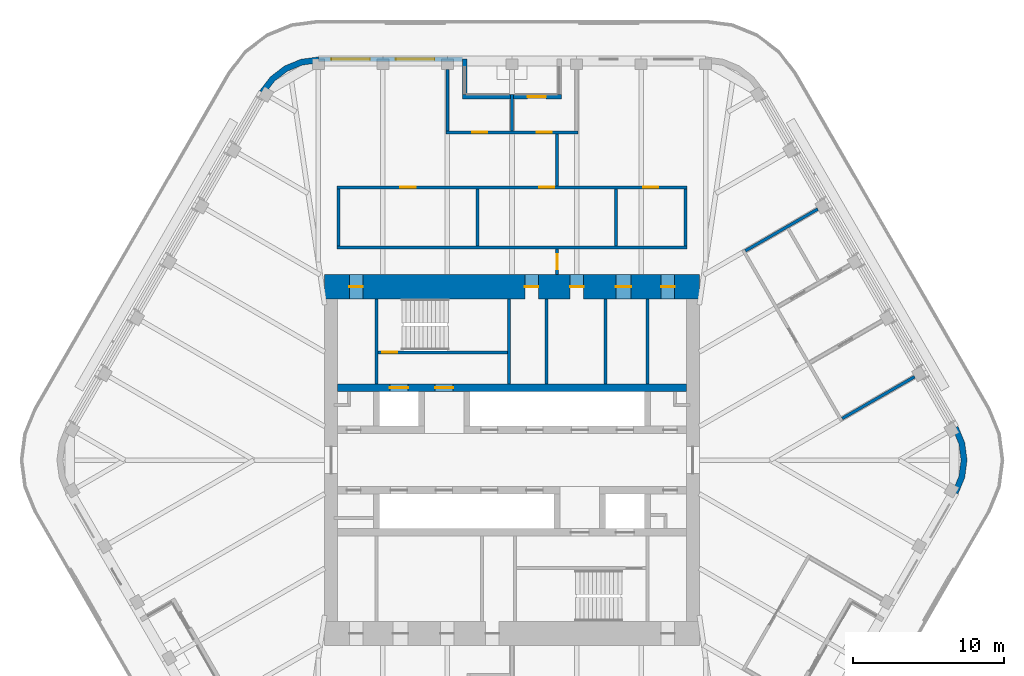
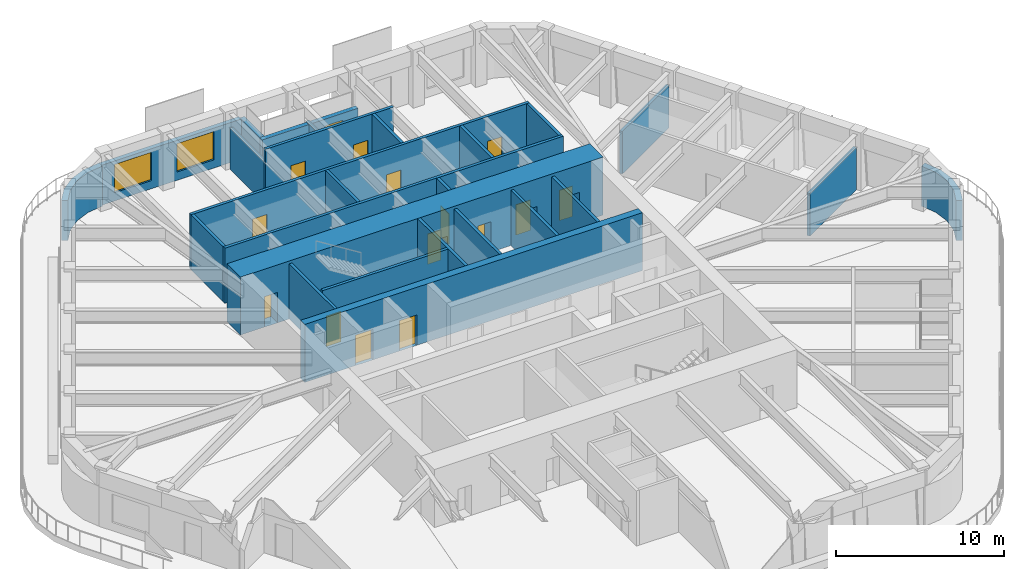
# One storey, part 15 of 19: 26 walls, 15 doors, 2 windows, 17 openings.
"""IFC4 building model written with IfcOpenShell, lengths in metres."""

from ifc_helpers import new_model, si_unit, direction, frame, frame_2d, origin, place, context, subcontext, project, spatial, polyline, rectangle, outline, extrude, material, layer, layer_set, type_object, element, fill, save


model = new_model("IFC4")

# Units and contexts
model_context = context("Model", 3, precision=1e-05, world=origin(), true_north=direction((0.0, 1.0)))
body_context = subcontext(model_context, "Body", "Model", "MODEL_VIEW")
ifc_project = project(units=[si_unit("LENGTHUNIT", "METRE"), si_unit("AREAUNIT", "SQUARE_METRE"), si_unit("VOLUMEUNIT", "CUBIC_METRE"), si_unit("PLANEANGLEUNIT", "RADIAN"), si_unit("MASSUNIT", "GRAM", prefix="KILO")], contexts=[model_context])

# Site, building, storey
site_placement = place(None, origin())
site = spatial("IfcSite", under=ifc_project, at=site_placement, CompositionType="ELEMENT")
building_placement = place(site_placement, origin())
building = spatial("IfcBuilding", under=site, at=building_placement, Name="Tarfa Lantern Tower", CompositionType="ELEMENT")
storey_placement = place(building_placement, frame((0.0, 0.0, 374.5)))
storey = spatial("IfcBuildingStorey", under=building, at=storey_placement, Name="L85", CompositionType="ELEMENT", Elevation=374.5)

# Wall, openings, windows
ifc_material_1 = material(Name="Limestone cladding on blockwork", Category="masonry")
ifc_layer_1 = layer(ifc_material_1, 0.300048828125)
ifc_layer_set_1 = layer_set([ifc_layer_1], Name="EW1 STONE-CLAD WALL 300")
wall_type_1 = type_object("IfcWallType", Name="EW1 STONE-CLAD WALL 300", PredefinedType="SOLIDWALL", material=ifc_layer_set_1)
wall_1_placement = place(storey_placement, frame((-3.281982421875, 26.60009765625, 0.0), z_axis=(0.0, 0.0, 1.0), x_axis=(-1.0, 0.0, 0.0)))
wall_1 = element("IfcWall", 1, at=wall_1_placement, inside=storey, type_object=wall_type_1, Name="Stone wall NB", PredefinedType="SOLIDWALL", context=body_context, shape_type="SweptSolid", body=[
    extrude(rectangle(XDim=9.56396484375, YDim=0.300048828125, at=frame_2d((4.781982421875, 0.0))), origin(), (0.0, 0.0, 1.0), 2.89990234375),
])
opening_1_placement = place(wall_1_placement, frame((1.865966796875, 0.0, 0.60009765625)))
opening_1 = element("IfcOpeningElement", 2, at=opening_1_placement, cuts=wall_1, Name="Opening W17", PredefinedType="OPENING", context=body_context, shape_type="SweptSolid", body=[
    extrude(rectangle(XDim=2.550048828125, YDim=2.050048828125, at=frame_2d((1.27490234375, 1.02490234375))), frame((0.0, 0.159912109375, 0.0), z_axis=(0.0, -1.0, 0.0), x_axis=(1.0, 0.0, 0.0)), (0.0, 0.0, 1.0), 0.320068359375),
])
opening_2_placement = place(wall_1_placement, frame((6.14794921875, 0.0, 0.60009765625)))
opening_2 = element("IfcOpeningElement", 3, at=opening_2_placement, cuts=wall_1, Name="Opening W17", PredefinedType="OPENING", context=body_context, shape_type="SweptSolid", body=[
    extrude(rectangle(XDim=2.550048828125, YDim=2.050048828125, at=frame_2d((1.27490234375, 1.02490234375))), frame((0.0, 0.159912109375, 0.0), z_axis=(0.0, -1.0, 0.0), x_axis=(1.0, 0.0, 0.0)), (0.0, 0.0, 1.0), 0.320068359375),
])
ifc_material_2 = material(Name="Aluminium frame, double glazed", Category="aluminium")
window_type = type_object("IfcWindowType", Name="W17 FULL-HEIGHT GLAZING 2550x2050", PartitioningType="SINGLE_PANEL", PredefinedType="WINDOW", material=ifc_material_2)
window_1_placement = place(opening_1_placement, origin())
window_1 = element("IfcWindow", 4, at=window_1_placement, inside=storey, type_object=window_type, Name="Window NB 1", OverallHeight=2.050048828125, OverallWidth=2.550048828125, PartitioningType="SINGLE_PANEL", PredefinedType="WINDOW", context=body_context, shape_type="SweptSolid", body=[
    extrude(rectangle(XDim=2.550048828125, YDim=2.050048828125, at=frame_2d((1.27490234375, 1.02490234375))), frame((0.0, 0.030029296875, 0.0), z_axis=(0.0, -1.0, 0.0), x_axis=(1.0, 0.0, 0.0)), (0.0, 0.0, 1.0), 0.06005859375),
])
fill(opening_1, window_1)
window_2_placement = place(opening_2_placement, origin())
window_2 = element("IfcWindow", 5, at=window_2_placement, inside=storey, type_object=window_type, Name="Window NB 2", OverallHeight=2.050048828125, OverallWidth=2.550048828125, PartitioningType="SINGLE_PANEL", PredefinedType="WINDOW", context=body_context, shape_type="SweptSolid", body=[
    extrude(rectangle(XDim=2.550048828125, YDim=2.050048828125, at=frame_2d((1.27490234375, 1.02490234375))), frame((0.0, 0.030029296875, 0.0), z_axis=(0.0, -1.0, 0.0), x_axis=(1.0, 0.0, 0.0)), (0.0, 0.0, 1.0), 0.06005859375),
])
fill(opening_2, window_2)

# Wall
wall_2_placement = place(storey_placement, frame((-3.132080078125, 26.60009765625, 0.0), z_axis=(0.0, 0.0, 1.0), x_axis=(0.0, -1.0, 0.0)))
element("IfcWall", 6, at=wall_2_placement, inside=storey, type_object=wall_type_1, Name="Terrace return N 2", PredefinedType="SOLIDWALL", context=body_context, shape_type="SweptSolid", body=[
    extrude(rectangle(XDim=2.35009765625, YDim=0.300048828125, at=frame_2d((1.175048828125, 0.0))), origin(), (0.0, 0.0, 1.0), 2.89990234375),
])

# Wall, opening, door
wall_3_placement = place(storey_placement, frame((3.281982421875, 24.10009765625, 0.0), z_axis=(0.0, 0.0, 1.0), x_axis=(-1.0, 0.0, 0.0)))
wall_3 = element("IfcWall", 7, at=wall_3_placement, inside=storey, type_object=wall_type_1, Name="Stone wall NS", PredefinedType="SOLIDWALL", context=body_context, shape_type="SweptSolid", body=[
    extrude(rectangle(XDim=6.56396484375, YDim=0.300048828125, at=frame_2d((3.281982421875, 0.0))), origin(), (0.0, 0.0, 1.0), 2.89990234375),
])
opening_3_placement = place(wall_3_placement, frame((1.041015625, 0.0, 0.0)))
opening_3 = element("IfcOpeningElement", 8, at=opening_3_placement, cuts=wall_3, Name="Opening D35", PredefinedType="OPENING", context=body_context, shape_type="SweptSolid", body=[
    extrude(rectangle(XDim=1.199951171875, YDim=2.39990234375, at=frame_2d((0.60009765625, 1.199951171875))), frame((0.0, 0.159912109375, 0.0), z_axis=(0.0, -1.0, 0.0), x_axis=(1.0, 0.0, 0.0)), (0.0, 0.0, 1.0), 0.320068359375),
])
ifc_material_3 = material(Name="Aluminium framed glazed door", Category="aluminium")
door_type_1 = type_object("IfcDoorType", Name="BE3 BALCONY DOOR 1200x2400", OperationType="SINGLE_SWING_RIGHT", PredefinedType="DOOR", material=ifc_material_3)
door_1_placement = place(opening_3_placement, origin())
door_1 = element("IfcDoor", 9, at=door_1_placement, inside=storey, type_object=door_type_1, Name="Balcony door NS", OperationType="SINGLE_SWING_LEFT", OverallHeight=2.39990234375, OverallWidth=1.199951171875, PredefinedType="DOOR", context=body_context, shape_type="SweptSolid", body=[
    extrude(rectangle(XDim=1.199951171875, YDim=2.39990234375, at=frame_2d((0.60009765625, 1.199951171875))), frame((0.0, 0.02490234375, 0.0), z_axis=(0.0, -1.0, 0.0), x_axis=(1.0, 0.0, 0.0)), (0.0, 0.0, 1.0), 0.050048828125),
])
fill(opening_3, door_1)

# Walls
ifc_layer_2 = layer(ifc_material_1, 0.39990234375)
ifc_layer_set_2 = layer_set([ifc_layer_2], Name="EW2 CURVED STONE CORNER 400")
wall_type_2 = type_object("IfcWallType", Name="EW2 CURVED STONE CORNER 400", PredefinedType="SOLIDWALL", material=ifc_layer_set_2)
wall_4_placement = place(storey_placement, origin())
element("IfcWall", 10, at=wall_4_placement, inside=storey, type_object=wall_type_2, Name="Stone corner N-NW", PredefinedType="SOLIDWALL", context=body_context, shape_type="SweptSolid", body=[
    extrude(outline(polyline([(-12.845947265625, 26.75), (-14.0107421875, 26.5966796875), (-15.095947265625, 26.147216796875), (-16.028076171875, 25.431884765625), (-16.7431640625, 24.5), (-16.396728515625, 24.300048828125), (-15.7451171875, 25.149169921875), (-14.89599609375, 25.80078125), (-13.9072265625, 26.210205078125), (-12.845947265625, 26.35009765625), (-12.845947265625, 26.75)])), origin(), (0.0, 0.0, 1.0), 2.89990234375),
])
wall_5_placement = place(storey_placement, origin())
element("IfcWall", 11, at=wall_5_placement, inside=storey, type_object=wall_type_2, Name="Stone corner SE-NE", PredefinedType="SOLIDWALL", context=body_context, shape_type="SweptSolid", body=[
    extrude(outline(polyline([(29.589111328125, -2.25), (30.038818359375, -1.164794921875), (30.192138671875, 0.0), (30.038818359375, 1.164794921875), (29.589111328125, 2.25), (29.24267578125, 2.050048828125), (29.65234375, 1.061279296875), (29.7919921875, 0.0), (29.65234375, -1.061279296875), (29.24267578125, -2.050048828125), (29.589111328125, -2.25)])), origin(), (0.0, 0.0, 1.0), 2.89990234375),
])
ifc_material_4 = material(Name="Concrete blockwork", Category="masonry")
ifc_layer_3 = layer(ifc_material_4, 0.199951171875)
ifc_layer_set_3 = layer_set([ifc_layer_3], Name="IW1 BLOCKWORK PARTITION 200 EI 120")
wall_type_3 = type_object("IfcWallType", Name="IW1 BLOCKWORK PARTITION 200 EI 120", PredefinedType="PARTITIONING", material=ifc_layer_set_3)
for number, where, z_axis, x_axis, name in (
    (12, (-9.0, 5.050048828125, 0.0), (0.0, 0.0, 1.0), (0.0, 1.0, 0.0), "Core partition"),
    (13, (9.0, 5.050048828125, 0.0), (0.0, 0.0, 1.0), (0.0, 1.0, 0.0), "Core partition"),
    (14, (2.300048828125, 5.050048828125, 0.0), (0.0, 0.0, 1.0), (0.0, 1.0, 0.0), "Core partition"),
    (15, (6.199951171875, 5.050048828125, 0.0), (0.0, 0.0, 1.0), (0.0, 1.0, 0.0), "Core partition"),
):
    element("IfcWall", number, at=place(storey_placement, frame(where, z_axis=z_axis, x_axis=x_axis)), inside=storey, type_object=wall_type_3, Name=name, PredefinedType="PARTITIONING", context=body_context, shape_type="SweptSolid", body=[
        extrude(rectangle(XDim=5.64990234375, YDim=0.199951171875, at=frame_2d((2.824951171875, 0.0))), origin(), (0.0, 0.0, 1.0), 4.0),
    ])
ifc_material_5 = material(Name="Gypsum board on steel studs", Category="steel")
ifc_layer_4 = layer(ifc_material_5, 0.2099609375)
ifc_layer_set_4 = layer_set([ifc_layer_4], Name="IW2 ACOUSTIC PARTITION 200")
wall_type_4 = type_object("IfcWallType", Name="IW2 ACOUSTIC PARTITION 200", PredefinedType="PARTITIONING", material=ifc_layer_set_4)
wall_6_placement = place(storey_placement, frame((-11.60009765625, 14.10009765625, 0.0), z_axis=(0.0, 0.0, 1.0), x_axis=(1.0, 0.0, 0.0)))
element("IfcWall", 16, at=wall_6_placement, inside=storey, type_object=wall_type_4, Name="Partition", PredefinedType="PARTITIONING", context=body_context, shape_type="SweptSolid", body=[
    extrude(rectangle(XDim=23.2001953125, YDim=0.199951171875, at=frame_2d((11.60009765625, 0.0))), origin(), (0.0, 0.0, 1.0), 4.0),
])

# Wall, openings, doors
wall_7_placement = place(storey_placement, frame((-11.60009765625, 18.10009765625, 0.0), z_axis=(0.0, 0.0, 1.0), x_axis=(1.0, 0.0, 0.0)))
wall_7 = element("IfcWall", 17, at=wall_7_placement, inside=storey, type_object=wall_type_4, Name="Partition", PredefinedType="PARTITIONING", context=body_context, shape_type="SweptSolid", body=[
    extrude(rectangle(XDim=23.2001953125, YDim=0.199951171875, at=frame_2d((11.60009765625, 0.0))), origin(), (0.0, 0.0, 1.0), 4.0),
])
opening_4_placement = place(wall_7_placement, frame((4.199951171875, 0.0, 0.0)))
opening_4 = element("IfcOpeningElement", 18, at=opening_4_placement, cuts=wall_7, Name="Opening D28", PredefinedType="OPENING", context=body_context, shape_type="SweptSolid", body=[
    extrude(rectangle(XDim=1.0, YDim=2.199951171875, at=frame_2d((0.5, 1.10009765625))), frame((0.0, 0.10986328125, 0.0), z_axis=(0.0, -1.0, 0.0), x_axis=(1.0, 0.0, 0.0)), (0.0, 0.0, 1.0), 0.219970703125),
])
opening_5_placement = place(wall_7_placement, frame((13.39990234375, 0.0, 0.0)))
opening_5 = element("IfcOpeningElement", 19, at=opening_5_placement, cuts=wall_7, Name="Opening D29", PredefinedType="OPENING", context=body_context, shape_type="SweptSolid", body=[
    extrude(rectangle(XDim=1.0, YDim=2.199951171875, at=frame_2d((0.5, 1.10009765625))), frame((0.0, 0.10986328125, 0.0), z_axis=(0.0, -1.0, 0.0), x_axis=(1.0, 0.0, 0.0)), (0.0, 0.0, 1.0), 0.219970703125),
])
opening_6_placement = place(wall_7_placement, frame((20.300048828125, 0.0, 0.0)))
opening_6 = element("IfcOpeningElement", 20, at=opening_6_placement, cuts=wall_7, Name="Opening D30", PredefinedType="OPENING", context=body_context, shape_type="SweptSolid", body=[
    extrude(rectangle(XDim=1.0, YDim=2.199951171875, at=frame_2d((0.5, 1.10009765625))), frame((0.0, 0.10986328125, 0.0), z_axis=(0.0, -1.0, 0.0), x_axis=(1.0, 0.0, 0.0)), (0.0, 0.0, 1.0), 0.219970703125),
])
ifc_material_6 = material(Name="Timber door", Category="wood")
door_type_2 = type_object("IfcDoorType", Name="DR1 ROOM DOOR 1000x2200", OperationType="SINGLE_SWING_LEFT", PredefinedType="DOOR", material=ifc_material_6)
door_2_placement = place(opening_4_placement, frame((1.0, 0.0, 0.0), z_axis=(0.0, 0.0, 1.0), x_axis=(-1.0, 0.0, 0.0)))
door_2 = element("IfcDoor", 21, at=door_2_placement, inside=storey, type_object=door_type_2, Name="Chief of staff's office door", OperationType="SINGLE_SWING_LEFT", OverallHeight=2.199951171875, OverallWidth=1.0, PredefinedType="DOOR", context=body_context, shape_type="SweptSolid", body=[
    extrude(rectangle(XDim=1.0, YDim=2.199951171875, at=frame_2d((0.5, 1.10009765625))), frame((0.0, 0.02490234375, 0.0), z_axis=(0.0, -1.0, 0.0), x_axis=(1.0, 0.0, 0.0)), (0.0, 0.0, 1.0), 0.050048828125),
])
fill(opening_4, door_2)
door_3_placement = place(opening_5_placement, frame((1.0, 0.0, 0.0), z_axis=(0.0, 0.0, 1.0), x_axis=(-1.0, 0.0, 0.0)))
door_3 = element("IfcDoor", 22, at=door_3_placement, inside=storey, type_object=door_type_2, Name="Meeting room door", OperationType="SINGLE_SWING_RIGHT", OverallHeight=2.199951171875, OverallWidth=1.0, PredefinedType="DOOR", context=body_context, shape_type="SweptSolid", body=[
    extrude(rectangle(XDim=1.0, YDim=2.199951171875, at=frame_2d((0.5, 1.10009765625))), frame((0.0, 0.02490234375, 0.0), z_axis=(0.0, -1.0, 0.0), x_axis=(1.0, 0.0, 0.0)), (0.0, 0.0, 1.0), 0.050048828125),
])
fill(opening_5, door_3)
door_4_placement = place(opening_6_placement, frame((1.0, 0.0, 0.0), z_axis=(0.0, 0.0, 1.0), x_axis=(-1.0, 0.0, 0.0)))
door_4 = element("IfcDoor", 23, at=door_4_placement, inside=storey, type_object=door_type_2, Name="Pantry door", OperationType="SINGLE_SWING_RIGHT", OverallHeight=2.199951171875, OverallWidth=1.0, PredefinedType="DOOR", context=body_context, shape_type="SweptSolid", body=[
    extrude(rectangle(XDim=1.0, YDim=2.199951171875, at=frame_2d((0.5, 1.10009765625))), frame((0.0, 0.02490234375, 0.0), z_axis=(0.0, -1.0, 0.0), x_axis=(1.0, 0.0, 0.0)), (0.0, 0.0, 1.0), 0.050048828125),
])
fill(opening_6, door_4)

# Walls
for number, where, z_axis, x_axis, name in (
    (24, (-11.5, 14.199951171875, 0.0), (0.0, 0.0, 1.0), (0.0, 1.0, 0.0), "Partition"),
    (25, (-2.300048828125, 14.199951171875, 0.0), (0.0, 0.0, 1.0), (0.0, 1.0, 0.0), "Partition"),
    (26, (6.89990234375, 14.199951171875, 0.0), (0.0, 0.0, 1.0), (0.0, 1.0, 0.0), "Partition"),
    (27, (11.5, 14.199951171875, 0.0), (0.0, 0.0, 1.0), (0.0, 1.0, 0.0), "Partition"),
):
    element("IfcWall", number, at=place(storey_placement, frame(where, z_axis=z_axis, x_axis=x_axis)), inside=storey, type_object=wall_type_4, Name=name, PredefinedType="PARTITIONING", context=body_context, shape_type="SweptSolid", body=[
        extrude(rectangle(XDim=3.800048828125, YDim=0.199951171875, at=frame_2d((1.89990234375, 0.0))), origin(), (0.0, 0.0, 1.0), 4.0),
    ])

# Wall, openings, doors
wall_8_placement = place(storey_placement, frame((4.382080078125, 21.75, 0.0), z_axis=(0.0, 0.0, 1.0), x_axis=(-1.0, 0.0, 0.0)))
wall_8 = element("IfcWall", 28, at=wall_8_placement, inside=storey, type_object=wall_type_4, Name="Partition", PredefinedType="PARTITIONING", context=body_context, shape_type="SweptSolid", body=[
    extrude(rectangle(XDim=8.76416015625, YDim=0.199951171875, at=frame_2d((4.382080078125, 0.0))), origin(), (0.0, 0.0, 1.0), 4.0),
])
opening_7_placement = place(wall_8_placement, frame((1.740966796875, 0.0, 0.0)))
opening_7 = element("IfcOpeningElement", 29, at=opening_7_placement, cuts=wall_8, Name="Opening D21", PredefinedType="OPENING", context=body_context, shape_type="SweptSolid", body=[
    extrude(rectangle(XDim=1.0, YDim=2.199951171875, at=frame_2d((0.5, 1.10009765625))), frame((0.0, 0.10986328125, 0.0), z_axis=(0.0, -1.0, 0.0), x_axis=(1.0, 0.0, 0.0)), (0.0, 0.0, 1.0), 0.219970703125),
])
opening_8_placement = place(wall_8_placement, frame((6.02294921875, 0.0, 0.0)))
opening_8 = element("IfcOpeningElement", 30, at=opening_8_placement, cuts=wall_8, Name="Opening D22", PredefinedType="OPENING", context=body_context, shape_type="SweptSolid", body=[
    extrude(rectangle(XDim=1.0, YDim=2.199951171875, at=frame_2d((0.5, 1.10009765625))), frame((0.0, 0.10986328125, 0.0), z_axis=(0.0, -1.0, 0.0), x_axis=(1.0, 0.0, 0.0)), (0.0, 0.0, 1.0), 0.219970703125),
])
door_5_placement = place(opening_7_placement, frame((1.0, 0.0, 0.0), z_axis=(0.0, 0.0, 1.0), x_axis=(-1.0, 0.0, 0.0)))
door_5 = element("IfcDoor", 31, at=door_5_placement, inside=storey, type_object=door_type_2, Name="Advisor's office door", OperationType="SINGLE_SWING_LEFT", OverallHeight=2.199951171875, OverallWidth=1.0, PredefinedType="DOOR", context=body_context, shape_type="SweptSolid", body=[
    extrude(rectangle(XDim=1.0, YDim=2.199951171875, at=frame_2d((0.5, 1.10009765625))), frame((0.0, 0.02490234375, 0.0), z_axis=(0.0, -1.0, 0.0), x_axis=(1.0, 0.0, 0.0)), (0.0, 0.0, 1.0), 0.050048828125),
])
fill(opening_7, door_5)
door_6_placement = place(opening_8_placement, frame((1.0, 0.0, 0.0), z_axis=(0.0, 0.0, 1.0), x_axis=(-1.0, 0.0, 0.0)))
door_6 = element("IfcDoor", 32, at=door_6_placement, inside=storey, type_object=door_type_2, Name="Advisor's office door", OperationType="SINGLE_SWING_RIGHT", OverallHeight=2.199951171875, OverallWidth=1.0, PredefinedType="DOOR", context=body_context, shape_type="SweptSolid", body=[
    extrude(rectangle(XDim=1.0, YDim=2.199951171875, at=frame_2d((0.5, 1.10009765625))), frame((0.0, 0.02490234375, 0.0), z_axis=(0.0, -1.0, 0.0), x_axis=(1.0, 0.0, 0.0)), (0.0, 0.0, 1.0), 0.050048828125),
])
fill(opening_8, door_6)

# Walls
wall_9_placement = place(storey_placement, frame((0.0, 21.85009765625, 0.0), z_axis=(0.0, 0.0, 1.0), x_axis=(0.0, 1.0, 0.0)))
element("IfcWall", 33, at=wall_9_placement, inside=storey, type_object=wall_type_4, Name="Partition", PredefinedType="PARTITIONING", context=body_context, shape_type="SweptSolid", body=[
    extrude(rectangle(XDim=2.40087890625, YDim=0.199951171875, at=frame_2d((1.200439453125, 0.0))), origin(), (0.0, 0.0, 1.0), 2.991943359375),
])
wall_10_placement = place(storey_placement, frame((-4.281982421875, 21.85009765625, 0.0), z_axis=(0.0, 0.0, 1.0), x_axis=(0.0, 1.0, 0.0)))
element("IfcWall", 34, at=wall_10_placement, inside=storey, type_object=wall_type_4, Name="Partition", PredefinedType="PARTITIONING", context=body_context, shape_type="SweptSolid", body=[
    extrude(rectangle(XDim=4.0498046875, YDim=0.199951171875, at=frame_2d((2.02490234375, 0.0))), origin(), (0.0, 0.0, 1.0), 2.991943359375),
])
wall_11_placement = place(storey_placement, frame((21.905517578125, 2.75830078125, 0.0), z_axis=(0.0, 0.0, 1.0), x_axis=(0.866022967649, 0.500004219487, 0.0)))
element("IfcWall", 35, at=wall_11_placement, inside=storey, type_object=wall_type_4, Name="Partition", PredefinedType="PARTITIONING", context=body_context, shape_type="SweptSolid", body=[
    extrude(rectangle(XDim=5.55029296875, YDim=0.199951171875, at=frame_2d((2.775146484375, 0.0))), origin(), (0.0, 0.0, 1.0), 3.08154296875),
])
wall_12_placement = place(storey_placement, frame((15.482666015625, 13.88330078125, 0.0), z_axis=(0.0, 0.0, 1.0), x_axis=(0.866011969997, 0.500023267281, 0.0)))
element("IfcWall", 36, at=wall_12_placement, inside=storey, type_object=wall_type_4, Name="Partition", PredefinedType="PARTITIONING", context=body_context, shape_type="SweptSolid", body=[
    extrude(rectangle(XDim=5.550048828125, YDim=0.199951171875, at=frame_2d((2.77490234375, 0.0))), origin(), (0.0, 0.0, 1.0), 3.08154296875),
])

# Wall, opening, door
wall_13_placement = place(storey_placement, frame((3.0, 12.300048828125, 0.0), z_axis=(0.0, 0.0, 1.0), x_axis=(0.0, 1.0, 0.0)))
wall_13 = element("IfcWall", 37, at=wall_13_placement, inside=storey, type_object=wall_type_4, Name="Partition", PredefinedType="PARTITIONING", context=body_context, shape_type="SweptSolid", body=[
    extrude(rectangle(XDim=1.699951171875, YDim=0.199951171875, at=frame_2d((0.85009765625, 0.0))), origin(), (0.0, 0.0, 1.0), 4.0),
])
opening_9_placement = place(wall_13_placement, frame((0.35009765625, 0.0, 0.0)))
opening_9 = element("IfcOpeningElement", 38, at=opening_9_placement, cuts=wall_13, Name="Opening D33", PredefinedType="OPENING", context=body_context, shape_type="SweptSolid", body=[
    extrude(rectangle(XDim=1.0, YDim=2.199951171875, at=frame_2d((0.5, 1.10009765625))), frame((0.0, 0.10986328125, 0.0), z_axis=(0.0, -1.0, 0.0), x_axis=(1.0, 0.0, 0.0)), (0.0, 0.0, 1.0), 0.219970703125),
])
door_7_placement = place(opening_9_placement, frame((1.0, 0.0, 0.0), z_axis=(0.0, 0.0, 1.0), x_axis=(-1.0, 0.0, 0.0)))
door_7 = element("IfcDoor", 39, at=door_7_placement, inside=storey, type_object=door_type_2, Name="Zone door", OperationType="SINGLE_SWING_RIGHT", OverallHeight=2.199951171875, OverallWidth=1.0, PredefinedType="DOOR", context=body_context, shape_type="SweptSolid", body=[
    extrude(rectangle(XDim=1.0, YDim=2.199951171875, at=frame_2d((0.5, 1.10009765625))), frame((0.0, 0.02490234375, 0.0), z_axis=(0.0, -1.0, 0.0), x_axis=(1.0, 0.0, 0.0)), (0.0, 0.0, 1.0), 0.050048828125),
])
fill(opening_9, door_7)

# Walls
wall_14_placement = place(storey_placement, frame((3.0, 18.199951171875, 0.0), z_axis=(0.0, 0.0, 1.0), x_axis=(0.0, 1.0, 0.0)))
element("IfcWall", 40, at=wall_14_placement, inside=storey, type_object=wall_type_4, Name="Partition", PredefinedType="PARTITIONING", context=body_context, shape_type="SweptSolid", body=[
    extrude(rectangle(XDim=3.449951171875, YDim=0.199951171875, at=frame_2d((1.72509765625, 0.0))), origin(), (0.0, 0.0, 1.0), 4.0),
])
ifc_material_7 = material(Name="Concrete C80/95", Category="concrete")
ifc_layer_5 = layer(ifc_material_7, 0.199951171875)
ifc_layer_set_5 = layer_set([ifc_layer_5], Name="SW12 CORE WALL 200")
wall_type_5 = type_object("IfcWallType", Name="SW12 CORE WALL 200", PredefinedType="SHEAR", material=ifc_layer_set_5)
wall_15_placement = place(storey_placement, frame((-0.199951171875, 5.050048828125, 0.0), z_axis=(0.0, 0.0, 1.0), x_axis=(0.0, 1.0, 0.0)))
element("IfcWall", 41, at=wall_15_placement, inside=storey, type_object=wall_type_5, Name="Core wall stair shaft N", PredefinedType="SHEAR", context=body_context, shape_type="SweptSolid", body=[
    extrude(rectangle(XDim=5.64990234375, YDim=0.199951171875, at=frame_2d((2.824951171875, 0.0))), origin(), (0.0, 0.0, 1.0), 4.199951171875),
])

# Wall, opening, door
wall_16_placement = place(storey_placement, frame((-8.89990234375, 7.14990234375, 0.0), z_axis=(0.0, 0.0, 1.0), x_axis=(1.0, 0.0, 0.0)))
wall_16 = element("IfcWall", 42, at=wall_16_placement, inside=storey, type_object=wall_type_5, Name="Core wall stair partition N", PredefinedType="SHEAR", context=body_context, shape_type="SweptSolid", body=[
    extrude(rectangle(XDim=8.599853515625, YDim=0.199951171875, at=frame_2d((4.2998046875, 0.0))), origin(), (0.0, 0.0, 1.0), 4.199951171875),
])
opening_10_placement = place(wall_16_placement, frame((0.300048828125, 0.0, 0.0)))
opening_10 = element("IfcOpeningElement", 43, at=opening_10_placement, cuts=wall_16, Name="Opening D19", PredefinedType="OPENING", context=body_context, shape_type="SweptSolid", body=[
    extrude(rectangle(XDim=1.0, YDim=2.199951171875, at=frame_2d((0.5, 1.10009765625))), frame((0.0, 0.10986328125, 0.0), z_axis=(0.0, -1.0, 0.0), x_axis=(1.0, 0.0, 0.0)), (0.0, 0.0, 1.0), 0.219970703125),
])
ifc_material_8 = material(Name="Steel fire door", Category="steel")
door_type_3 = type_object("IfcDoorType", Name="DF2 STAIR DOOR 1000x2200", OperationType="SINGLE_SWING_LEFT", PredefinedType="DOOR", material=ifc_material_8)
door_8_placement = place(opening_10_placement, origin())
door_8 = element("IfcDoor", 44, at=door_8_placement, inside=storey, type_object=door_type_3, Name="Stair door", OperationType="SINGLE_SWING_RIGHT", OverallHeight=2.199951171875, OverallWidth=1.0, PredefinedType="DOOR", context=body_context, shape_type="SweptSolid", body=[
    extrude(rectangle(XDim=1.0, YDim=2.199951171875, at=frame_2d((0.5, 1.10009765625))), frame((0.0, 0.02490234375, 0.0), z_axis=(0.0, -1.0, 0.0), x_axis=(1.0, 0.0, 0.0)), (0.0, 0.0, 1.0), 0.050048828125),
])
fill(opening_10, door_8)

# Wall, openings, doors
ifc_layer_6 = layer(ifc_material_7, 0.5)
ifc_layer_set_6 = layer_set([ifc_layer_6], Name="SW5 CORE WALL 500")
wall_type_6 = type_object("IfcWallType", Name="SW5 CORE WALL 500", PredefinedType="SHEAR", material=ifc_layer_set_6)
wall_17_placement = place(storey_placement, frame((-11.574951171875, 4.800048828125, 0.0), z_axis=(0.0, 0.0, 1.0), x_axis=(1.0, 0.0, 0.0)))
wall_17 = element("IfcWall", 45, at=wall_17_placement, inside=storey, type_object=wall_type_6, Name="Core wall rear N", PredefinedType="SHEAR", context=body_context, shape_type="SweptSolid", body=[
    extrude(rectangle(XDim=23.14990234375, YDim=0.5, at=frame_2d((11.574951171875, 0.0))), origin(), (0.0, 0.0, 1.0), 4.199951171875),
])
opening_11_placement = place(wall_17_placement, frame((6.47509765625, 0.0, 0.0)))
opening_11 = element("IfcOpeningElement", 46, at=opening_11_placement, cuts=wall_17, Name="Opening D05", PredefinedType="OPENING", context=body_context, shape_type="SweptSolid", body=[
    extrude(rectangle(XDim=1.199951171875, YDim=2.199951171875, at=frame_2d((0.60009765625, 1.10009765625))), frame((0.0, 0.260009765625, 0.0), z_axis=(0.0, -1.0, 0.0), x_axis=(1.0, 0.0, 0.0)), (0.0, 0.0, 1.0), 0.52001953125),
])
opening_12_placement = place(wall_17_placement, frame((3.47509765625, 0.0, 0.0)))
opening_12 = element("IfcOpeningElement", 47, at=opening_12_placement, cuts=wall_17, Name="Opening LD01", PredefinedType="OPENING", context=body_context, shape_type="SweptSolid", body=[
    extrude(rectangle(XDim=1.199951171875, YDim=2.199951171875, at=frame_2d((0.60009765625, 1.10009765625))), frame((0.0, 0.260009765625, 0.0), z_axis=(0.0, -1.0, 0.0), x_axis=(1.0, 0.0, 0.0)), (0.0, 0.0, 1.0), 0.52001953125),
])
door_type_4 = type_object("IfcDoorType", Name="DF1 FIREFIGHTING LOBBY DOOR 1200x2200", OperationType="SINGLE_SWING_LEFT", PredefinedType="DOOR", material=ifc_material_8)
door_9_placement = place(opening_11_placement, origin())
door_9 = element("IfcDoor", 48, at=door_9_placement, inside=storey, type_object=door_type_4, Name="Firefighting lobby door", OperationType="SINGLE_SWING_LEFT", OverallHeight=2.199951171875, OverallWidth=1.199951171875, PredefinedType="DOOR", context=body_context, shape_type="SweptSolid", body=[
    extrude(rectangle(XDim=1.199951171875, YDim=2.199951171875, at=frame_2d((0.60009765625, 1.10009765625))), frame((0.0, 0.02490234375, 0.0), z_axis=(0.0, -1.0, 0.0), x_axis=(1.0, 0.0, 0.0)), (0.0, 0.0, 1.0), 0.050048828125),
])
fill(opening_11, door_9)
ifc_material_9 = material(Name="Stainless steel lift door", Category="steel")
door_type_5 = type_object("IfcDoorType", Name="LD1 LIFT LANDING DOOR 1200x2200", OperationType="SLIDING_TO_LEFT", PredefinedType="DOOR", material=ifc_material_9)
door_10_placement = place(opening_12_placement, origin())
door_10 = element("IfcDoor", 49, at=door_10_placement, inside=storey, type_object=door_type_5, Name="Landing door FL1", OperationType="SLIDING_TO_LEFT", OverallHeight=2.199951171875, OverallWidth=1.199951171875, PredefinedType="DOOR", context=body_context, shape_type="SweptSolid", body=[
    extrude(rectangle(XDim=1.199951171875, YDim=2.199951171875, at=frame_2d((0.60009765625, 1.10009765625))), frame((0.0, 0.02490234375, 0.0), z_axis=(0.0, -1.0, 0.0), x_axis=(1.0, 0.0, 0.0)), (0.0, 0.0, 1.0), 0.050048828125),
])
fill(opening_12, door_10)

ifc_layer_7 = layer(ifc_material_7, 1.60009765625)
ifc_layer_set_7 = layer_set([ifc_layer_7], Name="SW7 CORE WALL 1600")
wall_type_7 = type_object("IfcWallType", Name="SW7 CORE WALL 1600", PredefinedType="SHEAR", material=ifc_layer_set_7)
wall_18_placement = place(storey_placement, frame((-12.425048828125, 11.5, 0.0), z_axis=(0.0, 0.0, 1.0), x_axis=(1.0, 0.0, 0.0)))
wall_18 = element("IfcWall", 50, at=wall_18_placement, inside=storey, type_object=wall_type_7, Name="Core wall N", PredefinedType="SHEAR", context=body_context, shape_type="SweptSolid", body=[
    extrude(rectangle(XDim=24.85009765625, YDim=1.60009765625, at=frame_2d((12.425048828125, 0.0))), origin(), (0.0, 0.0, 1.0), 4.199951171875),
])
opening_13_placement = place(wall_18_placement, frame((13.27490234375, 0.0, 0.0)))
opening_13 = element("IfcOpeningElement", 51, at=opening_13_placement, cuts=wall_18, Name="Opening D13", PredefinedType="OPENING", context=body_context, shape_type="SweptSolid", body=[
    extrude(rectangle(XDim=0.89990234375, YDim=2.199951171875, at=frame_2d((0.449951171875, 1.10009765625))), frame((0.0, 0.81005859375, 0.0), z_axis=(0.0, -1.0, 0.0), x_axis=(1.0, 0.0, 0.0)), (0.0, 0.0, 1.0), 1.6201171875),
])
opening_14_placement = place(wall_18_placement, frame((16.27490234375, 0.0, 0.0)))
opening_14 = element("IfcOpeningElement", 52, at=opening_14_placement, cuts=wall_18, Name="Opening D15", PredefinedType="OPENING", context=body_context, shape_type="SweptSolid", body=[
    extrude(rectangle(XDim=0.89990234375, YDim=2.199951171875, at=frame_2d((0.449951171875, 1.10009765625))), frame((0.0, 0.81005859375, 0.0), z_axis=(0.0, -1.0, 0.0), x_axis=(1.0, 0.0, 0.0)), (0.0, 0.0, 1.0), 1.6201171875),
])
opening_15_placement = place(wall_18_placement, frame((19.324951171875, 0.0, 0.0)))
opening_15 = element("IfcOpeningElement", 53, at=opening_15_placement, cuts=wall_18, Name="Opening D17", PredefinedType="OPENING", context=body_context, shape_type="SweptSolid", body=[
    extrude(rectangle(XDim=1.0, YDim=2.199951171875, at=frame_2d((0.5, 1.10009765625))), frame((0.0, 0.81005859375, 0.0), z_axis=(0.0, -1.0, 0.0), x_axis=(1.0, 0.0, 0.0)), (0.0, 0.0, 1.0), 1.6201171875),
])
opening_16_placement = place(wall_18_placement, frame((1.637451171875, 0.0, 0.0)))
opening_16 = element("IfcOpeningElement", 54, at=opening_16_placement, cuts=wall_18, Name="Opening D03", PredefinedType="OPENING", context=body_context, shape_type="SweptSolid", body=[
    extrude(rectangle(XDim=0.89990234375, YDim=2.199951171875, at=frame_2d((0.449951171875, 1.10009765625))), frame((0.0, 0.81005859375, 0.0), z_axis=(0.0, -1.0, 0.0), x_axis=(1.0, 0.0, 0.0)), (0.0, 0.0, 1.0), 1.6201171875),
])
opening_17_placement = place(wall_18_placement, frame((22.3125, 0.0, 0.0)))
opening_17 = element("IfcOpeningElement", 55, at=opening_17_placement, cuts=wall_18, Name="Opening D01", PredefinedType="OPENING", context=body_context, shape_type="SweptSolid", body=[
    extrude(rectangle(XDim=0.89990234375, YDim=2.199951171875, at=frame_2d((0.449951171875, 1.10009765625))), frame((0.0, 0.81005859375, 0.0), z_axis=(0.0, -1.0, 0.0), x_axis=(1.0, 0.0, 0.0)), (0.0, 0.0, 1.0), 1.6201171875),
])
door_type_6 = type_object("IfcDoorType", Name="DF3 CORE ROOM DOOR 900x2200", OperationType="SINGLE_SWING_LEFT", PredefinedType="DOOR", material=ifc_material_8)
door_11_placement = place(opening_13_placement, frame((0.89990234375, 0.0, 0.0), z_axis=(0.0, 0.0, 1.0), x_axis=(-1.0, 0.0, 0.0)))
door_11 = element("IfcDoor", 56, at=door_11_placement, inside=storey, type_object=door_type_6, Name="Core door", OperationType="SINGLE_SWING_RIGHT", OverallHeight=2.199951171875, OverallWidth=0.89990234375, PredefinedType="DOOR", context=body_context, shape_type="SweptSolid", body=[
    extrude(rectangle(XDim=0.89990234375, YDim=2.199951171875, at=frame_2d((0.449951171875, 1.10009765625))), frame((0.0, 0.02490234375, 0.0), z_axis=(0.0, -1.0, 0.0), x_axis=(1.0, 0.0, 0.0)), (0.0, 0.0, 1.0), 0.050048828125),
])
fill(opening_13, door_11)
door_12_placement = place(opening_14_placement, frame((0.89990234375, 0.0, 0.0), z_axis=(0.0, 0.0, 1.0), x_axis=(-1.0, 0.0, 0.0)))
door_12 = element("IfcDoor", 57, at=door_12_placement, inside=storey, type_object=door_type_6, Name="Core door", OperationType="SINGLE_SWING_RIGHT", OverallHeight=2.199951171875, OverallWidth=0.89990234375, PredefinedType="DOOR", context=body_context, shape_type="SweptSolid", body=[
    extrude(rectangle(XDim=0.89990234375, YDim=2.199951171875, at=frame_2d((0.449951171875, 1.10009765625))), frame((0.0, 0.02490234375, 0.0), z_axis=(0.0, -1.0, 0.0), x_axis=(1.0, 0.0, 0.0)), (0.0, 0.0, 1.0), 0.050048828125),
])
fill(opening_14, door_12)
door_type_7 = type_object("IfcDoorType", Name="DF4 CORE ROOM DOOR 1000x2200", OperationType="SINGLE_SWING_LEFT", PredefinedType="DOOR", material=ifc_material_8)
door_13_placement = place(opening_15_placement, frame((1.0, 0.0, 0.0), z_axis=(0.0, 0.0, 1.0), x_axis=(-1.0, 0.0, 0.0)))
door_13 = element("IfcDoor", 58, at=door_13_placement, inside=storey, type_object=door_type_7, Name="Core door", OperationType="SINGLE_SWING_LEFT", OverallHeight=2.199951171875, OverallWidth=1.0, PredefinedType="DOOR", context=body_context, shape_type="SweptSolid", body=[
    extrude(rectangle(XDim=1.0, YDim=2.199951171875, at=frame_2d((0.5, 1.10009765625))), frame((0.0, 0.02490234375, 0.0), z_axis=(0.0, -1.0, 0.0), x_axis=(1.0, 0.0, 0.0)), (0.0, 0.0, 1.0), 0.050048828125),
])
fill(opening_15, door_13)
door_type_8 = type_object("IfcDoorType", Name="DF5 RISER DOOR 900x2200", OperationType="SINGLE_SWING_LEFT", PredefinedType="DOOR", material=ifc_material_8)
door_14_placement = place(opening_16_placement, frame((0.89990234375, 0.0, 0.0), z_axis=(0.0, 0.0, 1.0), x_axis=(-1.0, 0.0, 0.0)))
door_14 = element("IfcDoor", 59, at=door_14_placement, inside=storey, type_object=door_type_8, Name="Riser door", OperationType="SINGLE_SWING_LEFT", OverallHeight=2.199951171875, OverallWidth=0.89990234375, PredefinedType="DOOR", context=body_context, shape_type="SweptSolid", body=[
    extrude(rectangle(XDim=0.89990234375, YDim=2.199951171875, at=frame_2d((0.449951171875, 1.10009765625))), frame((0.0, 0.02490234375, 0.0), z_axis=(0.0, -1.0, 0.0), x_axis=(1.0, 0.0, 0.0)), (0.0, 0.0, 1.0), 0.050048828125),
])
fill(opening_16, door_14)
door_15_placement = place(opening_17_placement, frame((0.89990234375, 0.0, 0.0), z_axis=(0.0, 0.0, 1.0), x_axis=(-1.0, 0.0, 0.0)))
door_15 = element("IfcDoor", 60, at=door_15_placement, inside=storey, type_object=door_type_8, Name="Riser door", OperationType="SINGLE_SWING_RIGHT", OverallHeight=2.199951171875, OverallWidth=0.89990234375, PredefinedType="DOOR", context=body_context, shape_type="SweptSolid", body=[
    extrude(rectangle(XDim=0.89990234375, YDim=2.199951171875, at=frame_2d((0.449951171875, 1.10009765625))), frame((0.0, 0.02490234375, 0.0), z_axis=(0.0, -1.0, 0.0), x_axis=(1.0, 0.0, 0.0)), (0.0, 0.0, 1.0), 0.050048828125),
])
fill(opening_17, door_15)

save(model, "model.ifc")
